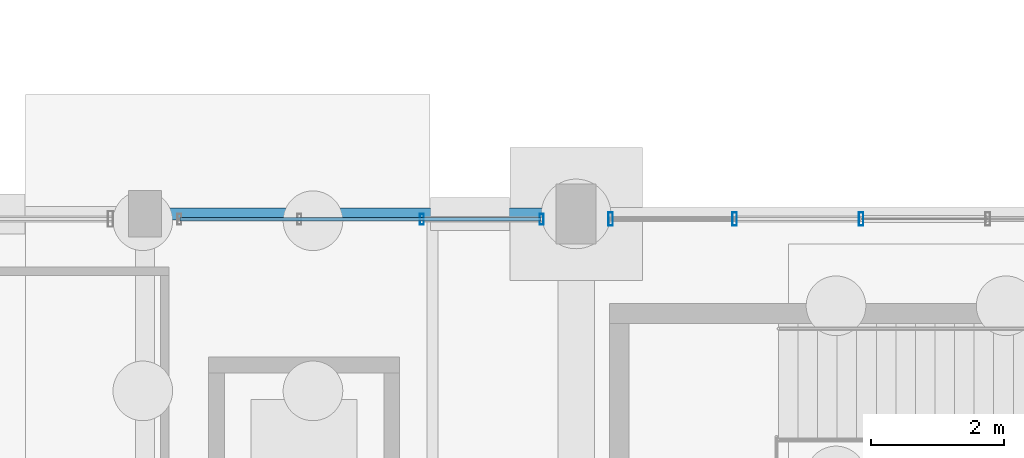
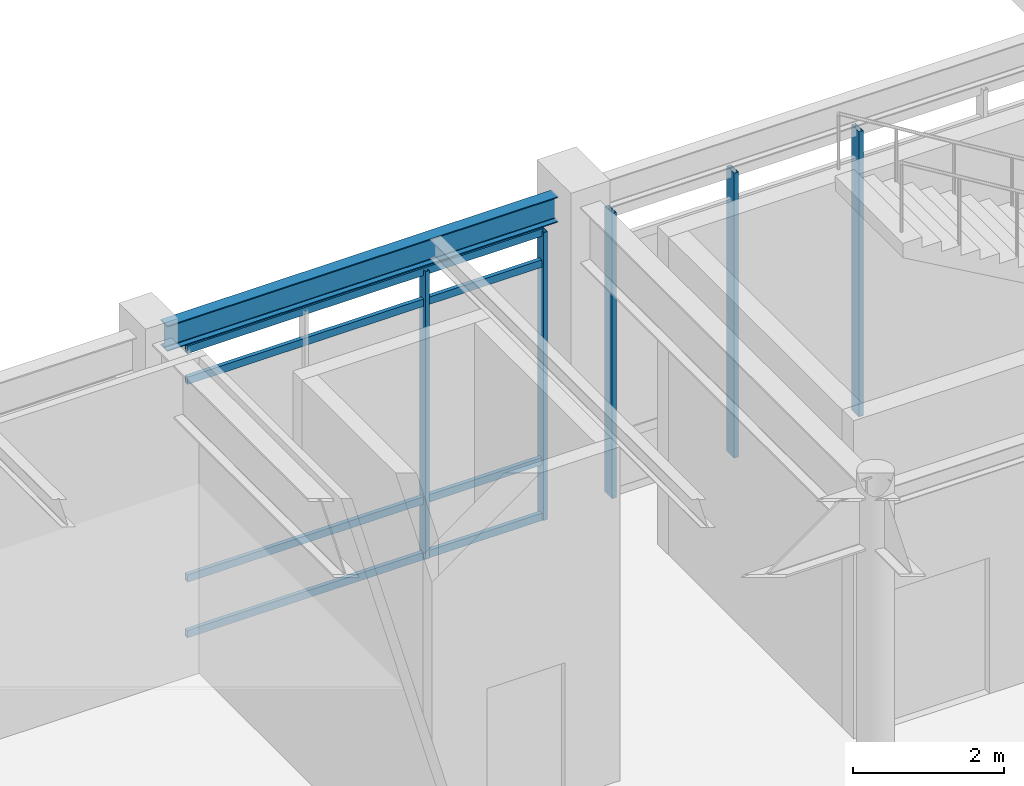
# One storey, part 146 of 203: 9 members, 1 beam, 2 elements without a shape of their own.
"""IFC4 building model written with IfcOpenShell, lengths in metres."""

from ifc_helpers import new_model, si_unit, direction, frame, origin, origin_2d, place, context, subcontext, project, spatial, hollow_rectangle, i_section, extrude, material, material_profile, profile_set, type_object, element, aggregate, save


model = new_model("IFC4")

# Units and contexts
model_context = context("Model", 3, precision=1e-05, world=origin(), true_north=direction((0.0, 1.0)))
body_context = subcontext(model_context, "Body", "Model", "MODEL_VIEW")
ifc_project = project(units=[si_unit("LENGTHUNIT", "METRE"), si_unit("AREAUNIT", "SQUARE_METRE"), si_unit("VOLUMEUNIT", "CUBIC_METRE"), si_unit("PLANEANGLEUNIT", "RADIAN"), si_unit("MASSUNIT", "GRAM", prefix="KILO"), si_unit("THERMODYNAMICTEMPERATUREUNIT", "KELVIN"), si_unit("POWERUNIT", "WATT")], contexts=[model_context])

# Site, building, storey
site_placement = place(None, origin())
site = spatial("IfcSite", under=ifc_project, at=site_placement, CompositionType="ELEMENT")
building_placement = place(site_placement, origin())
building = spatial("IfcBuilding", under=site, at=building_placement, Name="Tepalcoro Natatorium and Aquatics Centre", CompositionType="ELEMENT")
storey_placement = place(building_placement, origin())
storey = spatial("IfcBuildingStorey", under=building, at=storey_placement, Name="L00", CompositionType="ELEMENT", Elevation=0.0)

# Curtain wall, members
ifc_material_1 = material(Name="Bronze-Anodised Extruded Aluminium Alloy EN AW-6063 T6", Category="aluminium")
curtain_wall_type_1 = type_object("IfcCurtainWallType", Name="CW_LEAN_T2_EW", PredefinedType="USERDEFINED", material=ifc_material_1)
curtain_wall_1_placement = place(storey_placement, origin())
curtain_wall_1 = element("IfcCurtainWall", 1, at=curtain_wall_1_placement, inside=storey, type_object=curtain_wall_type_1, Name="V5 L00 N Unitised Curtain Wall Bay 4", ObjectType="FACETED SOLAR GLAZING", PredefinedType="USERDEFINED")
ifc_material_profile_1 = material_profile(ifc_material_1, hollow_rectangle(XDim=0.06005859375, YDim=0.159912109375, WallThickness=0.00390625, at=origin_2d()), Name="AL60X160X4")
ifc_profile_set_1 = profile_set([ifc_material_profile_1], Name="Bronze-Anodised Extruded Aluminium Alloy EN AW-6063 T6")
member_type_1 = type_object("IfcMemberType", Name="CW_MUL_60x160", PredefinedType="MULLION", material=ifc_profile_set_1)
member_1_placement = place(storey_placement, frame((129.17333984375, 117.919921875, 0.02001953125), z_axis=(0.0, 0.0, 1.0), x_axis=(1.0, 0.0, 0.0)))
member_1 = element("IfcMember", 2, at=member_1_placement, type_object=member_type_1, Name="CW_LEAN_T2_EW Curtain Wall Mullion", PredefinedType="MULLION", context=body_context, shape_type="SweptSolid", body=[
    extrude(hollow_rectangle(XDim=0.06005859375, YDim=0.159912109375, WallThickness=0.00390625, at=origin_2d()), origin(), (0.0, 0.0, 1.0), 4.656982421875),
])
member_2_placement = place(storey_placement, frame((130.97998046875, 117.919921875, 0.02001953125), z_axis=(0.0, 0.0, 1.0), x_axis=(1.0, 0.0, 0.0)))
member_2 = element("IfcMember", 3, at=member_2_placement, type_object=member_type_1, Name="CW_LEAN_T2_EW Curtain Wall Mullion", PredefinedType="MULLION", context=body_context, shape_type="SweptSolid", body=[
    extrude(hollow_rectangle(XDim=0.06005859375, YDim=0.159912109375, WallThickness=0.00390625, at=origin_2d()), origin(), (0.0, 0.0, 1.0), 4.656982421875),
])

curtain_wall_type_2 = type_object("IfcCurtainWallType", Name="CW_V1_PLINTH", PredefinedType="USERDEFINED", material=ifc_material_1)
curtain_wall_2_placement = place(storey_placement, origin())
curtain_wall_2 = element("IfcCurtainWall", 4, at=curtain_wall_2_placement, inside=storey, type_object=curtain_wall_type_2, Name="V5 L00 N Unitised Curtain Wall Bay 5", ObjectType="UNITISED STOREFRONT", PredefinedType="USERDEFINED")
ifc_material_profile_2 = material_profile(ifc_material_1, hollow_rectangle(XDim=0.070068359375, YDim=0.199951171875, WallThickness=0.0048828125, at=origin_2d()), Name="AL70X200X5")
ifc_profile_set_2 = profile_set([ifc_material_profile_2], Name="Bronze-Anodised Extruded Aluminium Alloy EN AW-6063 T6")
member_type_2 = type_object("IfcMemberType", Name="CW_MUL_70x200", PredefinedType="MULLION", material=ifc_profile_set_2)
member_3_placement = place(storey_placement, frame((132.02001953125, 117.923828125, 0.02001953125), z_axis=(0.0, 0.0, 1.0), x_axis=(1.0, 0.0, 0.0)))
member_3 = element("IfcMember", 5, at=member_3_placement, type_object=member_type_2, Name="CW_V1_PLINTH Curtain Wall Mullion", PredefinedType="MULLION", context=body_context, shape_type="SweptSolid", body=[
    extrude(hollow_rectangle(XDim=0.070068359375, YDim=0.199951171875, WallThickness=0.0048828125, at=origin_2d()), origin(), (0.0, 0.0, 1.0), 4.60986328125),
])
member_4_placement = place(storey_placement, frame((133.887939453125, 117.923828125, 0.02001953125), z_axis=(0.0, 0.0, 1.0), x_axis=(1.0, 0.0, 0.0)))
member_4 = element("IfcMember", 6, at=member_4_placement, type_object=member_type_2, Name="CW_V1_PLINTH Curtain Wall Mullion", PredefinedType="MULLION", context=body_context, shape_type="SweptSolid", body=[
    extrude(hollow_rectangle(XDim=0.070068359375, YDim=0.199951171875, WallThickness=0.0048828125, at=origin_2d()), origin(), (0.0, 0.0, 1.0), 4.60986328125),
])
member_5_placement = place(storey_placement, frame((135.7958984375, 117.923828125, 0.02001953125), z_axis=(0.0, 0.0, 1.0), x_axis=(1.0, 0.0, 0.0)))
member_5 = element("IfcMember", 7, at=member_5_placement, type_object=member_type_2, Name="CW_V1_PLINTH Curtain Wall Mullion", PredefinedType="MULLION", context=body_context, shape_type="SweptSolid", body=[
    extrude(hollow_rectangle(XDim=0.070068359375, YDim=0.199951171875, WallThickness=0.0048828125, at=origin_2d()), origin(), (0.0, 0.0, 1.0), 4.60986328125),
])
aggregate(curtain_wall_2, [member_3, member_4, member_5])

# Member
ifc_material_profile_3 = material_profile(ifc_material_1, hollow_rectangle(XDim=0.06005859375, YDim=0.1201171875, WallThickness=0.00390625, at=origin_2d()), Name="AL60X120X4")
ifc_profile_set_3 = profile_set([ifc_material_profile_3], Name="Bronze-Anodised Extruded Aluminium Alloy EN AW-6063 T6")
member_type_3 = type_object("IfcMemberType", Name="CW_TRN_60x120", PredefinedType="USERDEFINED", material=ifc_profile_set_3)
member_6_placement = place(storey_placement, frame((125.530029296875, 117.919921875, 0.050048828125), z_axis=(1.0, 0.0, 0.0), x_axis=(0.0, 1.0, 0.0)))
member_6 = element("IfcMember", 8, at=member_6_placement, type_object=member_type_3, Name="CW_LEAN_T2_EW Curtain Wall Transom", ObjectType="TRANSOM", PredefinedType="USERDEFINED", context=body_context, shape_type="SweptSolid", body=[
    extrude(hollow_rectangle(XDim=0.06005859375, YDim=0.1201171875, WallThickness=0.00390625, at=origin_2d()), origin(), (0.0, 0.0, 1.0), 5.43994140625),
])

member_7_placement = place(storey_placement, frame((125.530029296875, 117.919921875, 0.949951171875), z_axis=(1.0, 0.0, 0.0), x_axis=(0.0, 1.0, 0.0)))
member_7 = element("IfcMember", 9, at=member_7_placement, type_object=member_type_3, Name="CW_LEAN_T2_EW Curtain Wall Transom", ObjectType="TRANSOM", PredefinedType="USERDEFINED", context=body_context, shape_type="SweptSolid", body=[
    extrude(hollow_rectangle(XDim=0.06005859375, YDim=0.1201171875, WallThickness=0.00390625, at=origin_2d()), origin(), (0.0, 0.0, 1.0), 5.43994140625),
])

member_8_placement = place(storey_placement, frame((125.530029296875, 117.919921875, 4.14697265625), z_axis=(1.0, 0.0, 0.0), x_axis=(0.0, 1.0, 0.0)))
member_8 = element("IfcMember", 10, at=member_8_placement, type_object=member_type_3, Name="CW_LEAN_T2_EW Curtain Wall Transom", ObjectType="TRANSOM", PredefinedType="USERDEFINED", context=body_context, shape_type="SweptSolid", body=[
    extrude(hollow_rectangle(XDim=0.06005859375, YDim=0.1201171875, WallThickness=0.00390625, at=origin_2d()), origin(), (0.0, 0.0, 1.0), 5.43994140625),
])

member_9_placement = place(storey_placement, frame((125.530029296875, 117.919921875, 4.64697265625), z_axis=(1.0, 0.0, 0.0), x_axis=(0.0, 1.0, 0.0)))
member_9 = element("IfcMember", 11, at=member_9_placement, type_object=member_type_3, Name="CW_LEAN_T2_EW Curtain Wall Transom", ObjectType="TRANSOM", PredefinedType="USERDEFINED", context=body_context, shape_type="SweptSolid", body=[
    extrude(hollow_rectangle(XDim=0.06005859375, YDim=0.1201171875, WallThickness=0.00390625, at=origin_2d()), origin(), (0.0, 0.0, 1.0), 5.43994140625),
])

aggregate(curtain_wall_1, [member_1, member_2, member_6, member_7, member_8, member_9])

# Beam
ifc_material_2 = material(Name="Steel ASTM A992 Grade 50 (Fy 345 MPa)", Category="steel")
ifc_material_profile_4 = material_profile(ifc_material_2, i_section(OverallWidth=0.179931640625, OverallDepth=0.4130859375, WebThickness=0.010009765625, FlangeThickness=0.01611328125, FilletRadius=0.013916015625, at=origin_2d()), Name="W16X50")
ifc_profile_set_4 = profile_set([ifc_material_profile_4], Name="Steel ASTM A992 Grade 50 (Fy 345 MPa)")
beam_type = type_object("IfcBeamType", Name="SP_HSS300x200x12", PredefinedType="SPANDREL", material=ifc_profile_set_4)
beam_placement = place(storey_placement, frame((125.235107421875, 118.0, 4.91845703125), z_axis=(1.0, 0.0, 0.0), x_axis=(0.0, 1.0, 0.0)))
element("IfcBeam", 12, at=beam_placement, inside=storey, type_object=beam_type, Name="V5 L00 Grid Girder X", PredefinedType="SPANDREL", context=body_context, shape_type="SweptSolid", body=[
    extrude(i_section(OverallWidth=0.179931640625, OverallDepth=0.4130859375, WebThickness=0.010009765625, FlangeThickness=0.01611328125, FilletRadius=0.013916015625, at=origin_2d()), origin(), (0.0, 0.0, 1.0), 5.97998046875),
])

save(model, "model.ifc")
